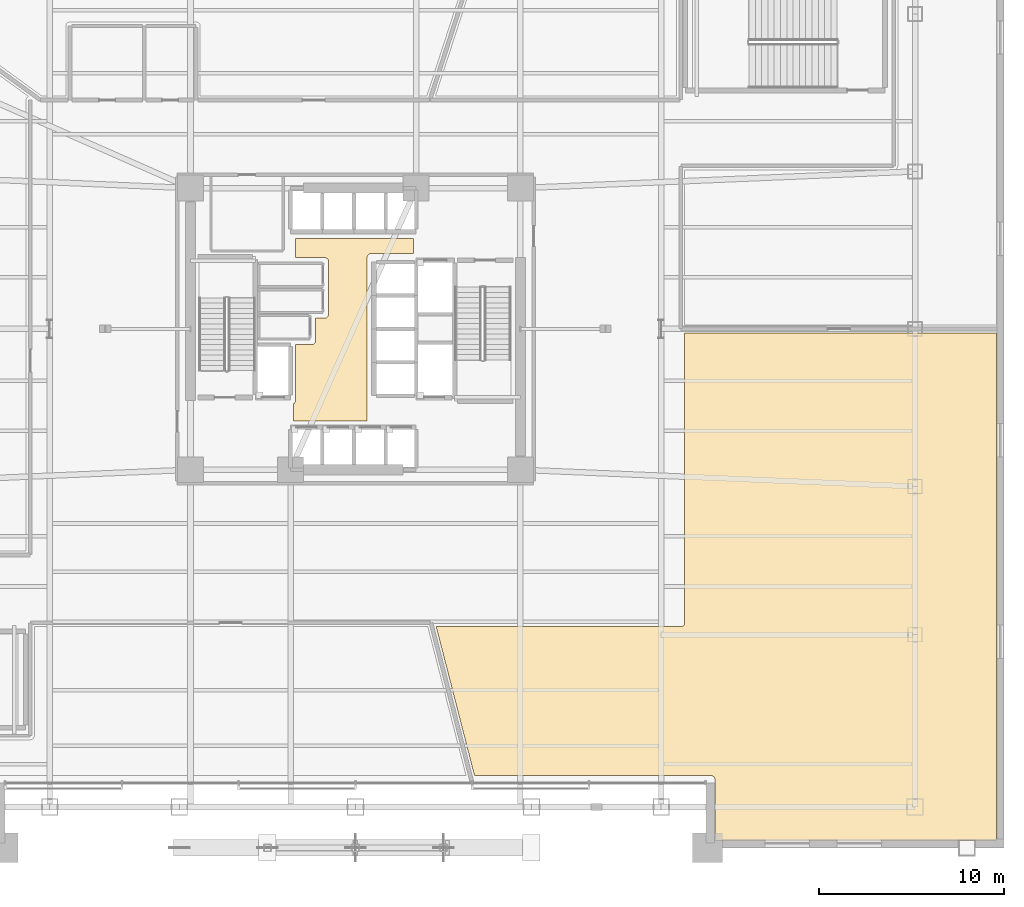
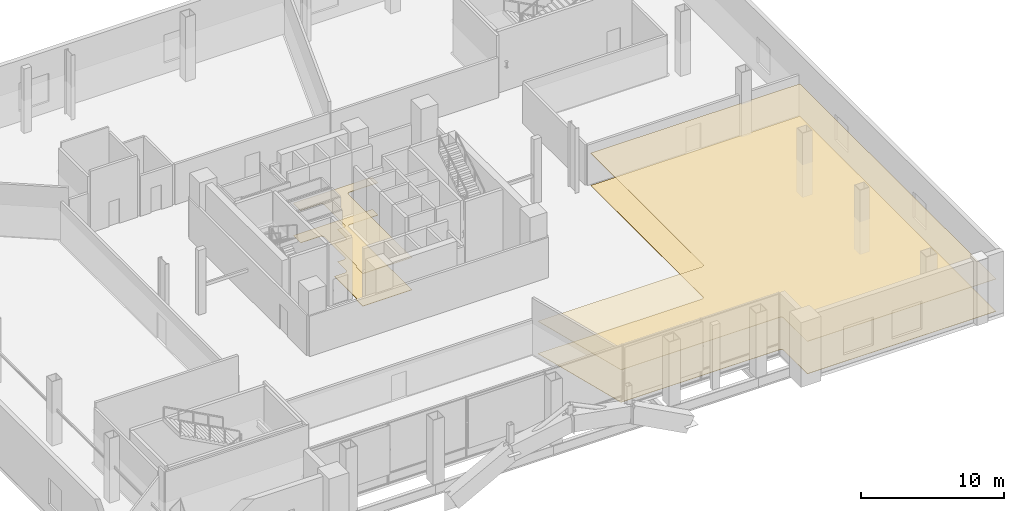
# One storey, part 16 of 19: 4 coverings.
"""IFC4 building model written with IfcOpenShell, lengths in metres."""

from ifc_helpers import new_model, si_unit, direction, frame, origin, place, context, subcontext, project, spatial, polyline, outline, extrude, material, layer, layer_set, type_object, element, save


model = new_model("IFC4")

# Units and contexts
model_context = context("Model", 3, precision=1e-05, world=origin(), true_north=direction((0.0, 1.0)))
body_context = subcontext(model_context, "Body", "Model", "MODEL_VIEW")
ifc_project = project(units=[si_unit("LENGTHUNIT", "METRE"), si_unit("AREAUNIT", "SQUARE_METRE"), si_unit("VOLUMEUNIT", "CUBIC_METRE"), si_unit("PLANEANGLEUNIT", "RADIAN"), si_unit("MASSUNIT", "GRAM", prefix="KILO")], contexts=[model_context])

# Site, building, storey
site_placement = place(None, origin())
site = spatial("IfcSite", under=ifc_project, at=site_placement, CompositionType="ELEMENT")
building_placement = place(site_placement, origin())
building = spatial("IfcBuilding", under=site, at=building_placement, Name="Tharavind Bronze Gate", CompositionType="ELEMENT")
storey_placement = place(building_placement, frame((0.0, 0.0, 11.0)))
storey = spatial("IfcBuildingStorey", under=building, at=storey_placement, Name="L02", CompositionType="ELEMENT", Elevation=11.0)

# Coverings
ifc_material_1 = material(Name="Perforated Bronze Acoustic Panel", Category="bronze")
ifc_layer_1 = layer(ifc_material_1, 0.044921875)
ifc_layer_set_1 = layer_set([ifc_layer_1], Name="Perforated Bronze Acoustic Panel")
covering_type_1 = type_object("IfcCoveringType", Name="ACOUSTIC BRONZE BAFFLE CEILING", PredefinedType="CEILING", material=ifc_layer_set_1)
covering_1_placement = place(storey_placement, frame((0.0, 0.0, 2.75)))
element("IfcCovering", 1, at=covering_1_placement, inside=storey, type_object=covering_type_1, Name="L02-C-LL suspended ceiling", PredefinedType="CEILING", context=body_context, shape_type="SweptSolid", body=[
    extrude(outline(polyline([(-3.330078125, -4.97998046875), (0.6298828125, -4.97998046875), (0.6298828125, 3.85009765625), (0.631103515625, 3.87158203125), (0.63427734375, 3.892822265625), (0.639404296875, 3.913818359375), (0.646728515625, 3.93408203125), (0.656005859375, 3.95361328125), (0.6669921875, 3.97216796875), (0.679931640625, 3.989501953125), (0.6943359375, 4.005615234375), (0.71044921875, 4.02001953125), (0.727783203125, 4.032958984375), (0.746337890625, 4.0439453125), (0.765869140625, 4.05322265625), (0.7861328125, 4.060546875), (0.80712890625, 4.06591796875), (0.828369140625, 4.06884765625), (0.85009765625, 4.070068359375), (3.1298828125, 4.070068359375), (3.1298828125, 4.8798828125), (-3.22998046875, 4.8798828125), (-3.22998046875, 3.85009765625), (-1.669921875, 3.85009765625), (-1.6484375, 3.848876953125), (-1.627197265625, 3.845703125), (-1.606201171875, 3.840576171875), (-1.585693359375, 3.833251953125), (-1.56640625, 3.823974609375), (-1.5478515625, 3.81298828125), (-1.530517578125, 3.800048828125), (-1.514404296875, 3.78564453125), (-1.5, 3.76953125), (-1.487060546875, 3.752197265625), (-1.47607421875, 3.733642578125), (-1.466796875, 3.714111328125), (-1.45947265625, 3.69384765625), (-1.4541015625, 3.6728515625), (-1.451171875, 3.651611328125), (-1.449951171875, 3.6298828125), (-1.449951171875, 0.800048828125), (-1.451171875, 0.7783203125), (-1.4541015625, 0.757080078125), (-1.45947265625, 0.736083984375), (-1.466796875, 0.7158203125), (-1.47607421875, 0.6962890625), (-1.487060546875, 0.677734375), (-1.5, 0.660400390625), (-1.514404296875, 0.644287109375), (-1.530517578125, 0.6298828125), (-1.5478515625, 0.6171875), (-1.56640625, 0.60595703125), (-1.585693359375, 0.5966796875), (-1.606201171875, 0.589599609375), (-1.627197265625, 0.584228515625), (-1.6484375, 0.5810546875), (-1.669921875, 0.580078125), (-2.14990234375, 0.580078125), (-2.14990234375, -0.6298828125), (-2.151123046875, -0.651611328125), (-2.154296875, -0.6728515625), (-2.159423828125, -0.69384765625), (-2.166748046875, -0.714111328125), (-2.176025390625, -0.733642578125), (-2.18701171875, -0.752197265625), (-2.199951171875, -0.76953125), (-2.21435546875, -0.78564453125), (-2.23046875, -0.800048828125), (-2.247802734375, -0.81298828125), (-2.266357421875, -0.823974609375), (-2.285888671875, -0.833251953125), (-2.30615234375, -0.840576171875), (-2.3271484375, -0.845703125), (-2.348388671875, -0.848876953125), (-2.3701171875, -0.85009765625), (-3.22998046875, -0.85009765625), (-3.22998046875, -3.85009765625), (-3.231201171875, -3.87158203125), (-3.234130859375, -3.892822265625), (-3.239501953125, -3.913818359375), (-3.24658203125, -3.93408203125), (-3.256103515625, -3.95361328125), (-3.26708984375, -3.97216796875), (-3.27978515625, -3.989501953125), (-3.29443359375, -4.005615234375), (-3.310302734375, -4.02001953125), (-3.327880859375, -4.032958984375), (-3.330078125, -4.0341796875), (-3.330078125, -4.97998046875)])), origin(), (0.0, 0.0, 1.0), 0.034912109375),
])
covering_2_placement = place(storey_placement, frame((0.0, 0.0, 2.75)))
element("IfcCovering", 2, at=covering_2_placement, inside=storey, type_object=covering_type_1, Name="L02-PD-05 suspended ceiling", PredefinedType="CEILING", context=body_context, shape_type="SweptSolid", body=[
    extrude(outline(polyline([(6.424072265625, -24.10009765625), (19.179443359375, -24.10009765625), (19.190185546875, -24.100341796875), (19.19091796875, -24.100341796875), (19.21240234375, -24.102294921875), (19.2333984375, -24.106689453125), (19.254150390625, -24.11279296875), (19.27392578125, -24.12109375), (19.293212890625, -24.13134765625), (19.31103515625, -24.143310546875), (19.32763671875, -24.156982421875), (19.343017578125, -24.17236328125), (19.356689453125, -24.18896484375), (19.36865234375, -24.206787109375), (19.37890625, -24.22607421875), (19.38720703125, -24.245849609375), (19.393310546875, -24.2666015625), (19.397705078125, -24.28759765625), (19.399658203125, -24.30908203125), (19.399658203125, -24.309814453125), (19.39990234375, -24.320556640625), (19.39990234375, -27.60009765625), (34.60009765625, -27.60009765625), (34.60009765625, -0.219970703125), (17.77001953125, -0.219970703125), (17.77001953125, -15.849365234375), (17.769775390625, -15.860107421875), (17.769775390625, -15.86083984375), (17.767578125, -15.88232421875), (17.763427734375, -15.9033203125), (17.757080078125, -15.924072265625), (17.748779296875, -15.944091796875), (17.73876953125, -15.963134765625), (17.726806640625, -15.98095703125), (17.712890625, -15.997802734375), (17.69775390625, -16.012939453125), (17.680908203125, -16.026611328125), (17.6630859375, -16.038818359375), (17.64404296875, -16.048828125), (17.6240234375, -16.05712890625), (17.603515625, -16.0634765625), (17.582275390625, -16.067626953125), (17.560791015625, -16.069580078125), (17.560302734375, -16.069580078125), (17.54931640625, -16.070068359375), (4.359130859375, -16.070068359375), (6.424072265625, -24.10009765625)])), origin(), (0.0, 0.0, 1.0), 0.034912109375),
])
ifc_material_2 = material(Name="Honed Travertine Limestone", Category="masonry")
ifc_layer_2 = layer(ifc_material_2, 0.030029296875)
ifc_layer_set_2 = layer_set([ifc_layer_2], Name="Honed Travertine Limestone")
covering_type_2 = type_object("IfcCoveringType", Name="HONED LIMESTONE FLOORING", PredefinedType="FLOORING", material=ifc_layer_set_2)
covering_3_placement = place(storey_placement, origin())
element("IfcCovering", 3, at=covering_3_placement, inside=storey, type_object=covering_type_2, Name="L02-C-LL floor finish", PredefinedType="FLOORING", context=body_context, shape_type="SweptSolid", body=[
    extrude(outline(polyline([(-3.330078125, -4.97998046875), (0.6298828125, -4.97998046875), (0.6298828125, 3.85009765625), (0.631103515625, 3.87158203125), (0.63427734375, 3.892822265625), (0.639404296875, 3.913818359375), (0.646728515625, 3.93408203125), (0.656005859375, 3.95361328125), (0.6669921875, 3.97216796875), (0.679931640625, 3.989501953125), (0.6943359375, 4.005615234375), (0.71044921875, 4.02001953125), (0.727783203125, 4.032958984375), (0.746337890625, 4.0439453125), (0.765869140625, 4.05322265625), (0.7861328125, 4.060546875), (0.80712890625, 4.06591796875), (0.828369140625, 4.06884765625), (0.85009765625, 4.070068359375), (3.1298828125, 4.070068359375), (3.1298828125, 4.8798828125), (-3.22998046875, 4.8798828125), (-3.22998046875, 3.85009765625), (-1.669921875, 3.85009765625), (-1.6484375, 3.848876953125), (-1.627197265625, 3.845703125), (-1.606201171875, 3.840576171875), (-1.585693359375, 3.833251953125), (-1.56640625, 3.823974609375), (-1.5478515625, 3.81298828125), (-1.530517578125, 3.800048828125), (-1.514404296875, 3.78564453125), (-1.5, 3.76953125), (-1.487060546875, 3.752197265625), (-1.47607421875, 3.733642578125), (-1.466796875, 3.714111328125), (-1.45947265625, 3.69384765625), (-1.4541015625, 3.6728515625), (-1.451171875, 3.651611328125), (-1.449951171875, 3.6298828125), (-1.449951171875, 0.800048828125), (-1.451171875, 0.7783203125), (-1.4541015625, 0.757080078125), (-1.45947265625, 0.736083984375), (-1.466796875, 0.7158203125), (-1.47607421875, 0.6962890625), (-1.487060546875, 0.677734375), (-1.5, 0.660400390625), (-1.514404296875, 0.644287109375), (-1.530517578125, 0.6298828125), (-1.5478515625, 0.6171875), (-1.56640625, 0.60595703125), (-1.585693359375, 0.5966796875), (-1.606201171875, 0.589599609375), (-1.627197265625, 0.584228515625), (-1.6484375, 0.5810546875), (-1.669921875, 0.580078125), (-2.14990234375, 0.580078125), (-2.14990234375, -0.6298828125), (-2.151123046875, -0.651611328125), (-2.154296875, -0.6728515625), (-2.159423828125, -0.69384765625), (-2.166748046875, -0.714111328125), (-2.176025390625, -0.733642578125), (-2.18701171875, -0.752197265625), (-2.199951171875, -0.76953125), (-2.21435546875, -0.78564453125), (-2.23046875, -0.800048828125), (-2.247802734375, -0.81298828125), (-2.266357421875, -0.823974609375), (-2.285888671875, -0.833251953125), (-2.30615234375, -0.840576171875), (-2.3271484375, -0.845703125), (-2.348388671875, -0.848876953125), (-2.3701171875, -0.85009765625), (-3.22998046875, -0.85009765625), (-3.22998046875, -3.85009765625), (-3.231201171875, -3.87158203125), (-3.234130859375, -3.892822265625), (-3.239501953125, -3.913818359375), (-3.24658203125, -3.93408203125), (-3.256103515625, -3.95361328125), (-3.26708984375, -3.97216796875), (-3.27978515625, -3.989501953125), (-3.29443359375, -4.005615234375), (-3.310302734375, -4.02001953125), (-3.327880859375, -4.032958984375), (-3.330078125, -4.0341796875), (-3.330078125, -4.97998046875)])), origin(), (0.0, 0.0, 1.0), 0.02490234375),
])
covering_4_placement = place(storey_placement, origin())
element("IfcCovering", 4, at=covering_4_placement, inside=storey, type_object=covering_type_2, Name="L02-PD-05 floor finish", PredefinedType="FLOORING", context=body_context, shape_type="SweptSolid", body=[
    extrude(outline(polyline([(6.424072265625, -24.10009765625), (19.179443359375, -24.10009765625), (19.190185546875, -24.100341796875), (19.19091796875, -24.100341796875), (19.21240234375, -24.102294921875), (19.2333984375, -24.106689453125), (19.254150390625, -24.11279296875), (19.27392578125, -24.12109375), (19.293212890625, -24.13134765625), (19.31103515625, -24.143310546875), (19.32763671875, -24.156982421875), (19.343017578125, -24.17236328125), (19.356689453125, -24.18896484375), (19.36865234375, -24.206787109375), (19.37890625, -24.22607421875), (19.38720703125, -24.245849609375), (19.393310546875, -24.2666015625), (19.397705078125, -24.28759765625), (19.399658203125, -24.30908203125), (19.399658203125, -24.309814453125), (19.39990234375, -24.320556640625), (19.39990234375, -27.60009765625), (34.60009765625, -27.60009765625), (34.60009765625, -0.219970703125), (17.77001953125, -0.219970703125), (17.77001953125, -15.849365234375), (17.769775390625, -15.860107421875), (17.769775390625, -15.86083984375), (17.767578125, -15.88232421875), (17.763427734375, -15.9033203125), (17.757080078125, -15.924072265625), (17.748779296875, -15.944091796875), (17.73876953125, -15.963134765625), (17.726806640625, -15.98095703125), (17.712890625, -15.997802734375), (17.69775390625, -16.012939453125), (17.680908203125, -16.026611328125), (17.6630859375, -16.038818359375), (17.64404296875, -16.048828125), (17.6240234375, -16.05712890625), (17.603515625, -16.0634765625), (17.582275390625, -16.067626953125), (17.560791015625, -16.069580078125), (17.560302734375, -16.069580078125), (17.54931640625, -16.070068359375), (4.359130859375, -16.070068359375), (6.424072265625, -24.10009765625)])), origin(), (0.0, 0.0, 1.0), 0.02490234375),
])

save(model, "model.ifc")
